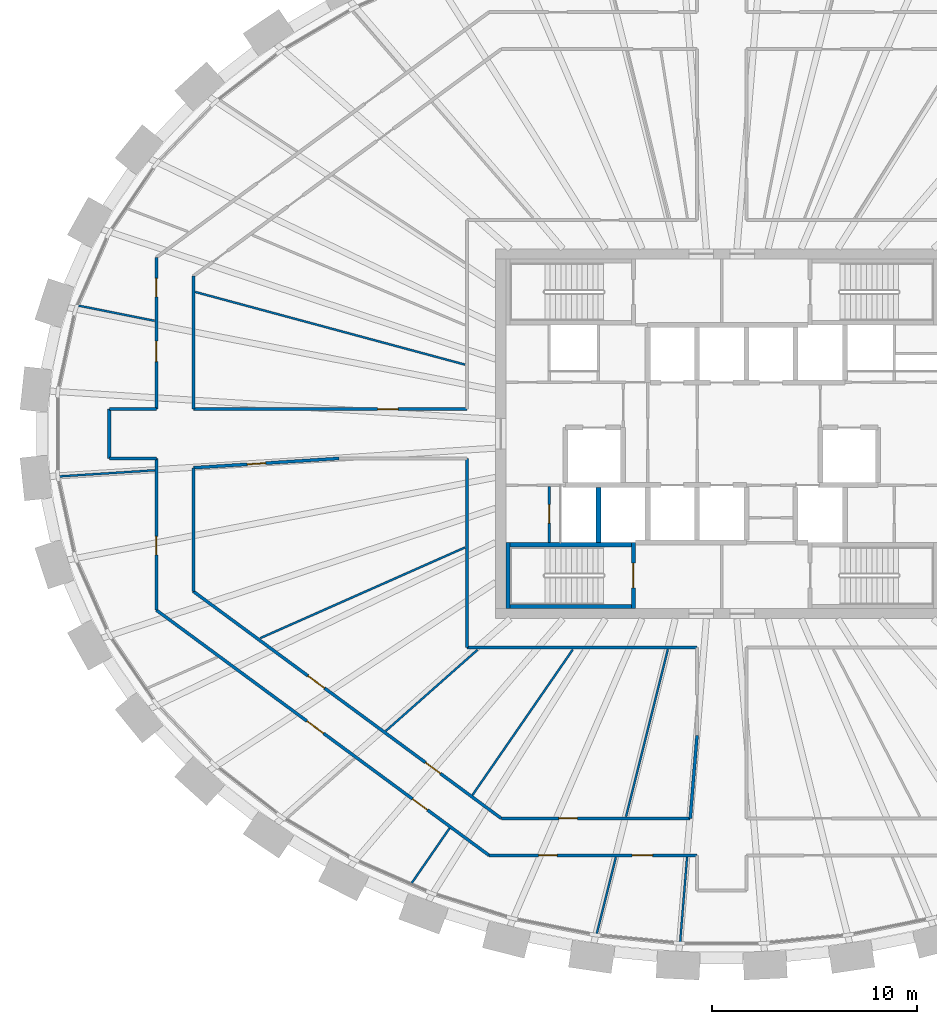
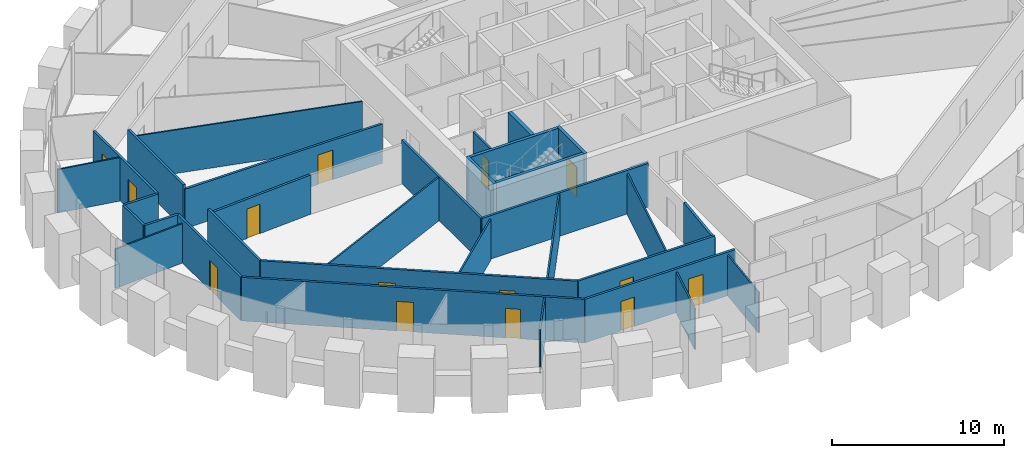
# One storey, part 6 of 12: 32 walls, 14 doors, 14 openings.
"""IFC4 building model written with IfcOpenShell, lengths in metres."""

from ifc_helpers import new_model, si_unit, direction, frame, frame_2d, origin, place, context, subcontext, project, spatial, rectangle, extrude, source, transform, mapped, material, layer, layer_set, type_object, element, fill, save


model = new_model("IFC4")

# Units and contexts
model_context = context("Model", 3, precision=1e-05, world=origin(), true_north=direction((0.0, 1.0)))
body_context = subcontext(model_context, "Body", "Model", "MODEL_VIEW")
ifc_project = project(units=[si_unit("LENGTHUNIT", "METRE"), si_unit("AREAUNIT", "SQUARE_METRE"), si_unit("VOLUMEUNIT", "CUBIC_METRE"), si_unit("PLANEANGLEUNIT", "RADIAN"), si_unit("MASSUNIT", "GRAM", prefix="KILO")], contexts=[model_context])

# Site, building, storey
site_placement = place(None, origin())
site = spatial("IfcSite", under=ifc_project, at=site_placement, CompositionType="ELEMENT")
building_placement = place(site_placement, origin())
building = spatial("IfcBuilding", under=site, at=building_placement, Name="Embergate Tower", CompositionType="ELEMENT")
storey_placement = place(building_placement, frame((0.0, 0.0, 246.10009765625)))
storey = spatial("IfcBuildingStorey", under=building, at=storey_placement, Name="L56", CompositionType="ELEMENT", Elevation=246.10009765625)

# Walls
ifc_material_1 = material(Name="Concrete C50", Category="concrete")
ifc_layer_1 = layer(ifc_material_1, 0.25)
ifc_layer_set_1 = layer_set([ifc_layer_1], Name="Concrete C50")
wall_type_1 = type_object("IfcWallType", Name="Hoistway wall reinforced concrete 250", PredefinedType="SHEAR", material=ifc_layer_set_1)
shared_shape_1 = source(origin(), body_context, "Body", "SweptSolid", [
    extrude(rectangle(XDim=2.675048828125, YDim=0.25, at=frame_2d((1.33740234375, 0.0))), origin(), (0.0, 0.0, 1.0), 3.699951171875),
])
wall_1_placement = place(storey_placement, frame((-6.0, -5.300048828125, 0.0), z_axis=(0.0, 0.0, 1.0), x_axis=(0.0, 1.0, 0.0)))
element("IfcWall", 1, at=wall_1_placement, inside=storey, type_object=wall_type_1, Name="HW-1 wall", PredefinedType="SHEAR", context=body_context, shape_type="MappedRepresentation", body=[
    mapped(shared_shape_1, transform((0.0, 0.0, 0.0))),
])
ifc_layer_2 = layer(ifc_material_1, 0.199951171875)
ifc_layer_set_2 = layer_set([ifc_layer_2], Name="Concrete C50")
wall_type_2 = type_object("IfcWallType", Name="Stair enclosure wall reinforced concrete 250", PredefinedType="SHEAR", material=ifc_layer_set_2)
shared_shape_2 = source(origin(), body_context, "Body", "SweptSolid", [
    extrude(rectangle(XDim=6.300048828125, YDim=0.199951171875, at=frame_2d((3.14990234375, 0.0))), origin(), (0.0, 0.0, 1.0), 3.699951171875),
])
wall_2_placement = place(storey_placement, frame((-10.5, -5.39990234375, 0.0), z_axis=(0.0, 0.0, 1.0), x_axis=(1.0, 0.0, 0.0)))
element("IfcWall", 2, at=wall_2_placement, inside=storey, type_object=wall_type_2, Name="SE-1 wall", PredefinedType="SHEAR", context=body_context, shape_type="MappedRepresentation", body=[
    mapped(shared_shape_2, transform((0.0, 0.0, 0.0))),
])

# Wall, opening, door
shared_shape_3 = source(origin(), body_context, "Body", "SweptSolid", [
    extrude(rectangle(XDim=3.199951171875, YDim=0.199951171875, at=frame_2d((1.60009765625, 0.0))), origin(), (0.0, 0.0, 1.0), 3.699951171875),
])
wall_3_placement = place(storey_placement, frame((-4.300048828125, -8.5, 0.0), z_axis=(0.0, 0.0, 1.0), x_axis=(0.0, 1.0, 0.0)))
wall_3 = element("IfcWall", 3, at=wall_3_placement, inside=storey, type_object=wall_type_2, Name="SE-1 wall", PredefinedType="SHEAR", context=body_context, shape_type="MappedRepresentation", body=[
    mapped(shared_shape_3, transform((0.0, 0.0, 0.0))),
])
shared_shape_4 = source(origin(), body_context, "Body", "SweptSolid", [
    extrude(rectangle(XDim=1.199951171875, YDim=2.10009765625, at=frame_2d((0.60009765625, 1.050048828125))), frame((0.0, 0.10986328125, 0.0), z_axis=(0.0, -1.0, 0.0), x_axis=(1.0, 0.0, 0.0)), (0.0, 0.0, 1.0), 0.219970703125),
])
opening_1_placement = place(wall_3_placement, frame((1.0, 0.0, 0.0)))
opening_1 = element("IfcOpeningElement", 4, at=opening_1_placement, cuts=wall_3, Name="Opening IF-2", PredefinedType="OPENING", context=body_context, shape_type="MappedRepresentation", body=[
    mapped(shared_shape_4, transform((0.0, 0.0, 0.0))),
])
ifc_material_2 = material(Name="Stair enclosure door 1200")
door_type_1 = type_object("IfcDoorType", Name="Stair enclosure door 1200", OperationType="SINGLE_SWING_LEFT", PredefinedType="DOOR", material=ifc_material_2)
shared_shape_5 = source(origin(), body_context, "Body", "SweptSolid", [
    extrude(rectangle(XDim=1.199951171875, YDim=2.10009765625, at=frame_2d((0.60009765625, 1.050048828125))), frame((0.0, 0.02490234375, 0.0), z_axis=(0.0, -1.0, 0.0), x_axis=(1.0, 0.0, 0.0)), (0.0, 0.0, 1.0), 0.050048828125),
])
door_1_placement = place(opening_1_placement, origin())
door_1 = element("IfcDoor", 5, at=door_1_placement, inside=storey, type_object=door_type_1, Name="IF-2 door", OperationType="SINGLE_SWING_LEFT", OverallHeight=2.10009765625, OverallWidth=1.199951171875, PredefinedType="DOOR", context=body_context, shape_type="MappedRepresentation", body=[
    mapped(shared_shape_5, transform((0.0, 0.0, 0.0))),
])
fill(opening_1, door_1)

ifc_material_3 = material(Name="Core partition blockwork 120")
ifc_layer_3 = layer(ifc_material_3, 0.1201171875)
ifc_layer_set_3 = layer_set([ifc_layer_3], Name="Core partition blockwork 120")
wall_type_3 = type_object("IfcWallType", Name="Core partition blockwork 120", PredefinedType="PARTITIONING", material=ifc_layer_set_3)
shared_shape_6 = source(origin(), body_context, "Body", "SweptSolid", [
    extrude(rectangle(XDim=2.739990234375, YDim=0.1201171875, at=frame_2d((1.3701171875, 0.0))), origin(), (0.0, 0.0, 1.0), 3.099853515625),
])
wall_4_placement = place(storey_placement, frame((-8.39990234375, -2.56005859375, 0.0), z_axis=(0.0, 0.0, 1.0), x_axis=(0.0, -1.0, 0.0)))
wall_4 = element("IfcWall", 6, at=wall_4_placement, inside=storey, type_object=wall_type_3, Name="IP-3 wall", PredefinedType="PARTITIONING", context=body_context, shape_type="MappedRepresentation", body=[
    mapped(shared_shape_6, transform((0.0, 0.0, 0.0))),
])
shared_shape_7 = source(origin(), body_context, "Body", "SweptSolid", [
    extrude(rectangle(XDim=0.89990234375, YDim=2.10009765625, at=frame_2d((0.449951171875, 1.050048828125))), frame((0.0, 0.070068359375, 0.0), z_axis=(0.0, -1.0, 0.0), x_axis=(1.0, 0.0, 0.0)), (0.0, 0.0, 1.0), 0.14013671875),
])
opening_2_placement = place(wall_4_placement, frame((0.889892578125, 0.0, 0.0)))
opening_2 = element("IfcOpeningElement", 7, at=opening_2_placement, cuts=wall_4, Name="Opening ID-1", PredefinedType="OPENING", context=body_context, shape_type="MappedRepresentation", body=[
    mapped(shared_shape_7, transform((0.0, 0.0, 0.0))),
])
ifc_material_4 = material(Name="Interior door 900")
door_type_2 = type_object("IfcDoorType", Name="Interior door 900", OperationType="SINGLE_SWING_LEFT", PredefinedType="DOOR", material=ifc_material_4)
shared_shape_8 = source(origin(), body_context, "Body", "SweptSolid", [
    extrude(rectangle(XDim=0.89990234375, YDim=2.10009765625, at=frame_2d((0.449951171875, 1.050048828125))), frame((0.0, 0.02490234375, 0.0), z_axis=(0.0, -1.0, 0.0), x_axis=(1.0, 0.0, 0.0)), (0.0, 0.0, 1.0), 0.050048828125),
])
door_2_placement = place(opening_2_placement, origin())
door_2 = element("IfcDoor", 8, at=door_2_placement, inside=storey, type_object=door_type_2, Name="ID-1 door", OperationType="SINGLE_SWING_RIGHT", OverallHeight=2.10009765625, OverallWidth=0.89990234375, PredefinedType="DOOR", context=body_context, shape_type="MappedRepresentation", body=[
    mapped(shared_shape_8, transform((0.0, 0.0, 0.0))),
])
fill(opening_2, door_2)

# Wall
ifc_material_5 = material(Name="Corridor wall dry-lined 150")
ifc_layer_4 = layer(ifc_material_5, 0.14990234375)
ifc_layer_set_4 = layer_set([ifc_layer_4], Name="Corridor wall dry-lined 150")
wall_type_4 = type_object("IfcWallType", Name="Corridor wall dry-lined 150", PredefinedType="PARTITIONING", material=ifc_layer_set_4)
shared_shape_9 = source(origin(), body_context, "Body", "SweptSolid", [
    extrude(rectangle(XDim=2.39990234375, YDim=0.14990234375, at=frame_2d((1.199951171875, 0.0))), origin(), (0.0, 0.0, 1.0), 3.099853515625),
])
wall_5_placement = place(storey_placement, frame((-29.803955078125, -1.199951171875, 0.0), z_axis=(0.0, 0.0, 1.0), x_axis=(0.0, 1.0, 0.0)))
element("IfcWall", 9, at=wall_5_placement, inside=storey, type_object=wall_type_4, Name="IP-2 wall", PredefinedType="PARTITIONING", context=body_context, shape_type="MappedRepresentation", body=[
    mapped(shared_shape_9, transform((0.0, 0.0, 0.0))),
])

# Wall, opening, door
shared_shape_10 = source(origin(), body_context, "Body", "SweptSolid", [
    extrude(rectangle(XDim=7.381103515625, YDim=0.14990234375, at=frame_2d((3.6904296875, 0.0))), origin(), (0.0, 0.0, 1.0), 3.099853515625),
])
wall_6_placement = place(storey_placement, frame((-27.510986328125, -1.199951171875, 0.0), z_axis=(0.0, 0.0, 1.0), x_axis=(0.0, -1.0, 0.0)))
wall_6 = element("IfcWall", 10, at=wall_6_placement, inside=storey, type_object=wall_type_4, Name="IP-2 wall", PredefinedType="PARTITIONING", context=body_context, shape_type="MappedRepresentation", body=[
    mapped(shared_shape_10, transform((0.0, 0.0, 0.0))),
])
shared_shape_11 = source(origin(), body_context, "Body", "SweptSolid", [
    extrude(rectangle(XDim=0.89990234375, YDim=2.10009765625, at=frame_2d((0.449951171875, 1.050048828125))), frame((0.0, 0.0849609375, 0.0), z_axis=(0.0, -1.0, 0.0), x_axis=(1.0, 0.0, 0.0)), (0.0, 0.0, 1.0), 0.169921875),
])
opening_3_placement = place(wall_6_placement, frame((3.7900390625, 0.0, 0.0)))
opening_3 = element("IfcOpeningElement", 11, at=opening_3_placement, cuts=wall_6, Name="Opening IF-1c", PredefinedType="OPENING", context=body_context, shape_type="MappedRepresentation", body=[
    mapped(shared_shape_11, transform((0.0, 0.0, 0.0))),
])
ifc_material_6 = material(Name="Escape fire door 900")
door_type_3 = type_object("IfcDoorType", Name="Escape fire door 900", OperationType="SINGLE_SWING_LEFT", PredefinedType="DOOR", material=ifc_material_6)
door_3_placement = place(opening_3_placement, origin())
door_3 = element("IfcDoor", 12, at=door_3_placement, inside=storey, type_object=door_type_3, Name="IF-1 door", OperationType="SINGLE_SWING_RIGHT", OverallHeight=2.10009765625, OverallWidth=0.89990234375, PredefinedType="DOOR", context=body_context, shape_type="MappedRepresentation", body=[
    mapped(shared_shape_8, transform((0.0, 0.0, 0.0))),
])
fill(opening_3, door_3)

# Wall, openings, doors
wall_7_placement = place(storey_placement, frame((-27.510986328125, 1.199951171875, 0.0), z_axis=(0.0, 0.0, 1.0), x_axis=(0.0, 1.0, 0.0)))
wall_7 = element("IfcWall", 13, at=wall_7_placement, inside=storey, type_object=wall_type_4, Name="IP-2 wall", PredefinedType="PARTITIONING", context=body_context, shape_type="MappedRepresentation", body=[
    mapped(shared_shape_10, transform((0.0, 0.0, 0.0))),
])
opening_4_placement = place(wall_7_placement, frame((5.4599609375, 0.0, 0.0)))
opening_4 = element("IfcOpeningElement", 14, at=opening_4_placement, cuts=wall_7, Name="Opening IF-1c", PredefinedType="OPENING", context=body_context, shape_type="MappedRepresentation", body=[
    mapped(shared_shape_11, transform((0.0, 0.0, 0.0))),
])
shared_shape_12 = source(origin(), body_context, "Body", "SweptSolid", [
    extrude(rectangle(XDim=1.0, YDim=2.10009765625, at=frame_2d((0.5, 1.050048828125))), frame((0.0, 0.0849609375, 0.0), z_axis=(0.0, -1.0, 0.0), x_axis=(1.0, 0.0, 0.0)), (0.0, 0.0, 1.0), 0.169921875),
])
opening_5_placement = place(wall_7_placement, frame((2.31005859375, 0.0, 0.0)))
opening_5 = element("IfcOpeningElement", 15, at=opening_5_placement, cuts=wall_7, Name="Opening ID-2", PredefinedType="OPENING", context=body_context, shape_type="MappedRepresentation", body=[
    mapped(shared_shape_12, transform((0.0, 0.0, 0.0))),
])
door_4_placement = place(opening_4_placement, origin())
door_4 = element("IfcDoor", 16, at=door_4_placement, inside=storey, type_object=door_type_3, Name="IF-1 door", OperationType="SINGLE_SWING_LEFT", OverallHeight=2.10009765625, OverallWidth=0.89990234375, PredefinedType="DOOR", context=body_context, shape_type="MappedRepresentation", body=[
    mapped(shared_shape_8, transform((0.0, 0.0, 0.0))),
])
fill(opening_4, door_4)
ifc_material_7 = material(Name="Interior door 1000")
door_type_4 = type_object("IfcDoorType", Name="Interior door 1000", OperationType="SINGLE_SWING_LEFT", PredefinedType="DOOR", material=ifc_material_7)
shared_shape_13 = source(origin(), body_context, "Body", "SweptSolid", [
    extrude(rectangle(XDim=1.0, YDim=2.10009765625, at=frame_2d((0.5, 1.050048828125))), frame((0.0, 0.02490234375, 0.0), z_axis=(0.0, -1.0, 0.0), x_axis=(1.0, 0.0, 0.0)), (0.0, 0.0, 1.0), 0.050048828125),
])
door_5_placement = place(opening_5_placement, origin())
door_5 = element("IfcDoor", 17, at=door_5_placement, inside=storey, type_object=door_type_4, Name="ID-2 door", OperationType="SINGLE_SWING_RIGHT", OverallHeight=2.10009765625, OverallWidth=1.0, PredefinedType="DOOR", context=body_context, shape_type="MappedRepresentation", body=[
    mapped(shared_shape_13, transform((0.0, 0.0, 0.0))),
])
fill(opening_5, door_5)

shared_shape_14 = source(origin(), body_context, "Body", "SweptSolid", [
    extrude(rectangle(XDim=20.116455078125, YDim=0.14990234375, at=frame_2d((10.05810546875, 0.0))), origin(), (0.0, 0.0, 1.0), 3.099853515625),
])
wall_8_placement = place(storey_placement, frame((-27.510986328125, -8.5810546875, 0.0), z_axis=(0.0, 0.0, 1.0), x_axis=(0.804910001979, -0.593396906559, 0.0)))
wall_8 = element("IfcWall", 18, at=wall_8_placement, inside=storey, type_object=wall_type_4, Name="IP-2 wall", PredefinedType="PARTITIONING", context=body_context, shape_type="MappedRepresentation", body=[
    mapped(shared_shape_14, transform((0.0, 0.0, 0.0))),
])
opening_6_placement = place(wall_8_placement, frame((9.1064453125, 0.0, 0.0)))
opening_6 = element("IfcOpeningElement", 19, at=opening_6_placement, cuts=wall_8, Name="Opening ID-2", PredefinedType="OPENING", context=body_context, shape_type="MappedRepresentation", body=[
    mapped(shared_shape_12, transform((0.0, 0.0, 0.0))),
])
opening_7_placement = place(wall_8_placement, frame((15.489990234375, 0.0, 0.0)))
opening_7 = element("IfcOpeningElement", 20, at=opening_7_placement, cuts=wall_8, Name="Opening IF-1c", PredefinedType="OPENING", context=body_context, shape_type="MappedRepresentation", body=[
    mapped(shared_shape_11, transform((0.0, 0.0, 0.0))),
])
door_6_placement = place(opening_7_placement, origin())
door_6 = element("IfcDoor", 21, at=door_6_placement, inside=storey, type_object=door_type_3, Name="IF-1 door", OperationType="SINGLE_SWING_LEFT", OverallHeight=2.10009765625, OverallWidth=0.89990234375, PredefinedType="DOOR", context=body_context, shape_type="MappedRepresentation", body=[
    mapped(shared_shape_8, transform((0.0, 0.0, 0.0))),
])
fill(opening_7, door_6)
door_7_placement = place(opening_6_placement, origin())
door_7 = element("IfcDoor", 22, at=door_7_placement, inside=storey, type_object=door_type_4, Name="ID-2 door", OperationType="SINGLE_SWING_LEFT", OverallHeight=2.10009765625, OverallWidth=1.0, PredefinedType="DOOR", context=body_context, shape_type="MappedRepresentation", body=[
    mapped(shared_shape_13, transform((0.0, 0.0, 0.0))),
])
fill(opening_6, door_7)

shared_shape_15 = source(origin(), body_context, "Body", "SweptSolid", [
    extrude(rectangle(XDim=18.615966796875, YDim=0.14990234375, at=frame_2d((9.30810546875, 0.0))), origin(), (0.0, 0.0, 1.0), 3.099853515625),
])
wall_9_placement = place(storey_placement, frame((-10.72705078125, -18.718017578125, 0.0), z_axis=(0.0, 0.0, 1.0), x_axis=(-0.804892640185, 0.593420456149, 0.0)))
wall_9 = element("IfcWall", 23, at=wall_9_placement, inside=storey, type_object=wall_type_4, Name="IP-2 wall", PredefinedType="PARTITIONING", context=body_context, shape_type="MappedRepresentation", body=[
    mapped(shared_shape_15, transform((0.0, 0.0, 0.0))),
])
opening_8_placement = place(wall_9_placement, frame((10.686279296875, 0.0, 0.0)))
opening_8 = element("IfcOpeningElement", 24, at=opening_8_placement, cuts=wall_9, Name="Opening ID-2", PredefinedType="OPENING", context=body_context, shape_type="MappedRepresentation", body=[
    mapped(shared_shape_12, transform((0.0, 0.0, 0.0))),
])
opening_9_placement = place(wall_9_placement, frame((3.68115234375, 0.0, 0.0)))
opening_9 = element("IfcOpeningElement", 25, at=opening_9_placement, cuts=wall_9, Name="Opening IF-1c", PredefinedType="OPENING", context=body_context, shape_type="MappedRepresentation", body=[
    mapped(shared_shape_11, transform((0.0, 0.0, 0.0))),
])
door_8_placement = place(opening_9_placement, origin())
door_8 = element("IfcDoor", 26, at=door_8_placement, inside=storey, type_object=door_type_3, Name="IF-1 door", OperationType="SINGLE_SWING_RIGHT", OverallHeight=2.10009765625, OverallWidth=0.89990234375, PredefinedType="DOOR", context=body_context, shape_type="MappedRepresentation", body=[
    mapped(shared_shape_8, transform((0.0, 0.0, 0.0))),
])
fill(opening_9, door_8)
door_9_placement = place(opening_8_placement, origin())
door_9 = element("IfcDoor", 27, at=door_9_placement, inside=storey, type_object=door_type_4, Name="ID-2 door", OperationType="SINGLE_SWING_LEFT", OverallHeight=2.10009765625, OverallWidth=1.0, PredefinedType="DOOR", context=body_context, shape_type="MappedRepresentation", body=[
    mapped(shared_shape_13, transform((0.0, 0.0, 0.0))),
])
fill(opening_8, door_9)

# Wall
shared_shape_16 = source(origin(), body_context, "Body", "SweptSolid", [
    extrude(rectangle(XDim=6.014892578125, YDim=0.14990234375, at=frame_2d((3.00732421875, 0.0))), origin(), (0.0, 0.0, 1.0), 3.099853515625),
])
wall_10_placement = place(storey_placement, frame((-25.7109375, -7.6708984375, 0.0), z_axis=(0.0, 0.0, 1.0), x_axis=(0.0, 1.0, 0.0)))
element("IfcWall", 28, at=wall_10_placement, inside=storey, type_object=wall_type_4, Name="IP-2 wall", PredefinedType="PARTITIONING", context=body_context, shape_type="MappedRepresentation", body=[
    mapped(shared_shape_16, transform((0.0, 0.0, 0.0))),
])

# Wall, opening, door
shared_shape_17 = source(origin(), body_context, "Body", "SweptSolid", [
    extrude(rectangle(XDim=7.095703125, YDim=0.14990234375, at=frame_2d((3.5478515625, 0.0))), origin(), (0.0, 0.0, 1.0), 2.7998046875),
])
wall_11_placement = place(storey_placement, frame((-25.7109375, -1.656005859375, 0.0), z_axis=(0.0, 0.0, 1.0), x_axis=(0.997932433773, 0.064271748252, 0.0)))
wall_11 = element("IfcWall", 29, at=wall_11_placement, inside=storey, type_object=wall_type_4, Name="IP-2 wall", PredefinedType="PARTITIONING", context=body_context, shape_type="MappedRepresentation", body=[
    mapped(shared_shape_17, transform((0.0, 0.0, 0.0))),
])
opening_10_placement = place(wall_11_placement, frame((2.625732421875, 0.0, 0.0)))
opening_10 = element("IfcOpeningElement", 30, at=opening_10_placement, cuts=wall_11, Name="Opening IF-1c", PredefinedType="OPENING", context=body_context, shape_type="MappedRepresentation", body=[
    mapped(shared_shape_11, transform((0.0, 0.0, 0.0))),
])
door_10_placement = place(opening_10_placement, origin())
door_10 = element("IfcDoor", 31, at=door_10_placement, inside=storey, type_object=door_type_3, Name="IF-1 door", OperationType="SINGLE_SWING_LEFT", OverallHeight=2.10009765625, OverallWidth=0.89990234375, PredefinedType="DOOR", context=body_context, shape_type="MappedRepresentation", body=[
    mapped(shared_shape_8, transform((0.0, 0.0, 0.0))),
])
fill(opening_10, door_10)

# Walls
shared_shape_18 = source(origin(), body_context, "Body", "SweptSolid", [
    extrude(rectangle(XDim=9.199951171875, YDim=0.14990234375, at=frame_2d((4.60009765625, 0.0))), origin(), (0.0, 0.0, 1.0), 3.099853515625),
])
wall_12_placement = place(storey_placement, frame((-12.39990234375, -1.199951171875, 0.0), z_axis=(0.0, 0.0, 1.0), x_axis=(0.0, -1.0, 0.0)))
element("IfcWall", 32, at=wall_12_placement, inside=storey, type_object=wall_type_4, Name="IP-2 wall", PredefinedType="PARTITIONING", context=body_context, shape_type="MappedRepresentation", body=[
    mapped(shared_shape_18, transform((0.0, 0.0, 0.0))),
])
shared_shape_19 = source(origin(), body_context, "Body", "SweptSolid", [
    extrude(rectangle(XDim=11.199951171875, YDim=0.14990234375, at=frame_2d((5.60009765625, 0.0))), origin(), (0.0, 0.0, 1.0), 3.099853515625),
])
wall_13_placement = place(storey_placement, frame((-12.39990234375, -10.39990234375, 0.0), z_axis=(0.0, 0.0, 1.0), x_axis=(1.0, 0.0, 0.0)))
element("IfcWall", 33, at=wall_13_placement, inside=storey, type_object=wall_type_4, Name="IP-2 wall", PredefinedType="PARTITIONING", context=body_context, shape_type="MappedRepresentation", body=[
    mapped(shared_shape_19, transform((0.0, 0.0, 0.0))),
])

# Wall, openings, doors
shared_shape_20 = source(origin(), body_context, "Body", "SweptSolid", [
    extrude(rectangle(XDim=10.119140625, YDim=0.14990234375, at=frame_2d((5.0595703125, 0.0))), origin(), (0.0, 0.0, 1.0), 3.099853515625),
])
wall_14_placement = place(storey_placement, frame((-1.199951171875, -20.51806640625, 0.0), z_axis=(0.0, 0.0, 1.0), x_axis=(-1.0, 0.0, 0.0)))
wall_14 = element("IfcWall", 34, at=wall_14_placement, inside=storey, type_object=wall_type_4, Name="IP-2 wall", PredefinedType="PARTITIONING", context=body_context, shape_type="MappedRepresentation", body=[
    mapped(shared_shape_20, transform((0.0, 0.0, 0.0))),
])
opening_11_placement = place(wall_14_placement, frame((6.805908203125, 0.0, 0.0)))
opening_11 = element("IfcOpeningElement", 35, at=opening_11_placement, cuts=wall_14, Name="Opening IF-1c", PredefinedType="OPENING", context=body_context, shape_type="MappedRepresentation", body=[
    mapped(shared_shape_11, transform((0.0, 0.0, 0.0))),
])
opening_12_placement = place(wall_14_placement, frame((2.1630859375, 0.0, 0.0)))
opening_12 = element("IfcOpeningElement", 36, at=opening_12_placement, cuts=wall_14, Name="Opening ID-2", PredefinedType="OPENING", context=body_context, shape_type="MappedRepresentation", body=[
    mapped(shared_shape_12, transform((0.0, 0.0, 0.0))),
])
door_11_placement = place(opening_11_placement, origin())
door_11 = element("IfcDoor", 37, at=door_11_placement, inside=storey, type_object=door_type_3, Name="IF-1 door", OperationType="SINGLE_SWING_RIGHT", OverallHeight=2.10009765625, OverallWidth=0.89990234375, PredefinedType="DOOR", context=body_context, shape_type="MappedRepresentation", body=[
    mapped(shared_shape_8, transform((0.0, 0.0, 0.0))),
])
fill(opening_11, door_11)
door_12_placement = place(opening_12_placement, origin())
door_12 = element("IfcDoor", 38, at=door_12_placement, inside=storey, type_object=door_type_4, Name="ID-2 door", OperationType="SINGLE_SWING_RIGHT", OverallHeight=2.10009765625, OverallWidth=1.0, PredefinedType="DOOR", context=body_context, shape_type="MappedRepresentation", body=[
    mapped(shared_shape_13, transform((0.0, 0.0, 0.0))),
])
fill(opening_12, door_12)

# Wall, opening, door
shared_shape_21 = source(origin(), body_context, "Body", "SweptSolid", [
    extrude(rectangle(XDim=9.197021484375, YDim=0.14990234375, at=frame_2d((4.5986328125, 0.0))), origin(), (0.0, 0.0, 1.0), 3.099853515625),
])
wall_15_placement = place(storey_placement, frame((-10.72705078125, -18.718017578125, 0.0), z_axis=(0.0, 0.0, 1.0), x_axis=(1.0, 0.0, 0.0)))
wall_15 = element("IfcWall", 39, at=wall_15_placement, inside=storey, type_object=wall_type_4, Name="IP-2 wall", PredefinedType="PARTITIONING", context=body_context, shape_type="MappedRepresentation", body=[
    mapped(shared_shape_21, transform((0.0, 0.0, 0.0))),
])
opening_13_placement = place(wall_15_placement, frame((2.802978515625, 0.0, 0.0)))
opening_13 = element("IfcOpeningElement", 40, at=opening_13_placement, cuts=wall_15, Name="Opening IF-1c", PredefinedType="OPENING", context=body_context, shape_type="MappedRepresentation", body=[
    mapped(shared_shape_11, transform((0.0, 0.0, 0.0))),
])
door_13_placement = place(opening_13_placement, origin())
door_13 = element("IfcDoor", 41, at=door_13_placement, inside=storey, type_object=door_type_3, Name="IF-1 door", OperationType="SINGLE_SWING_RIGHT", OverallHeight=2.10009765625, OverallWidth=0.89990234375, PredefinedType="DOOR", context=body_context, shape_type="MappedRepresentation", body=[
    mapped(shared_shape_8, transform((0.0, 0.0, 0.0))),
])
fill(opening_13, door_13)

# Walls
shared_shape_22 = source(origin(), body_context, "Body", "SweptSolid", [
    extrude(rectangle(XDim=4.04638671875, YDim=0.14990234375, at=frame_2d((2.023193359375, 0.0))), origin(), (0.0, 0.0, 1.0), 2.89990234375),
])
wall_16_placement = place(storey_placement, frame((-1.199951171875, -14.68505859375, 0.0), z_axis=(0.0, 0.0, 1.0), x_axis=(-0.081572392455, -0.996667419348, 0.0)))
element("IfcWall", 42, at=wall_16_placement, inside=storey, type_object=wall_type_4, Name="IP-2 wall", PredefinedType="PARTITIONING", context=body_context, shape_type="MappedRepresentation", body=[
    mapped(shared_shape_22, transform((0.0, 0.0, 0.0))),
])
shared_shape_23 = source(origin(), body_context, "Body", "SweptSolid", [
    extrude(rectangle(XDim=2.29296875, YDim=0.14990234375, at=frame_2d((1.146484375, 0.0))), origin(), (0.0, 0.0, 1.0), 3.099853515625),
])
for number, where, z_axis, x_axis, name in (
    (43, (-27.510986328125, -1.199951171875, 0.0), (0.0, 0.0, 1.0), (-1.0, 0.0, 0.0), "IP-2 wall"),
    (44, (-29.803955078125, 1.199951171875, 0.0), (0.0, 0.0, 1.0), (1.0, 0.0, 0.0), "IP-2 wall"),
):
    element("IfcWall", number, at=place(storey_placement, frame(where, z_axis=z_axis, x_axis=x_axis)), inside=storey, type_object=wall_type_4, Name=name, PredefinedType="PARTITIONING", context=body_context, shape_type="MappedRepresentation", body=[
        mapped(shared_shape_23, transform((0.0, 0.0, 0.0))),
    ])
shared_shape_24 = source(origin(), body_context, "Body", "SweptSolid", [
    extrude(rectangle(XDim=6.470947265625, YDim=0.14990234375, at=frame_2d((3.2353515625, 0.0))), origin(), (0.0, 0.0, 1.0), 3.099853515625),
])
wall_17_placement = place(storey_placement, frame((-25.7109375, 7.6708984375, 0.0), z_axis=(0.0, 0.0, 1.0), x_axis=(0.0, -1.0, 0.0)))
element("IfcWall", 45, at=wall_17_placement, inside=storey, type_object=wall_type_4, Name="IP-2 wall", PredefinedType="PARTITIONING", context=body_context, shape_type="MappedRepresentation", body=[
    mapped(shared_shape_24, transform((0.0, 0.0, 0.0))),
])

# Wall, opening, door
shared_shape_25 = source(origin(), body_context, "Body", "SweptSolid", [
    extrude(rectangle(XDim=13.31103515625, YDim=0.14990234375, at=frame_2d((6.655517578125, 0.0))), origin(), (0.0, 0.0, 1.0), 2.7998046875),
])
wall_18_placement = place(storey_placement, frame((-25.7109375, 1.199951171875, 0.0), z_axis=(0.0, 0.0, 1.0), x_axis=(1.0, 0.0, 0.0)))
wall_18 = element("IfcWall", 46, at=wall_18_placement, inside=storey, type_object=wall_type_4, Name="IP-2 wall", PredefinedType="PARTITIONING", context=body_context, shape_type="MappedRepresentation", body=[
    mapped(shared_shape_25, transform((0.0, 0.0, 0.0))),
])
opening_14_placement = place(wall_18_placement, frame((8.96630859375, 0.0, 0.0)))
opening_14 = element("IfcOpeningElement", 47, at=opening_14_placement, cuts=wall_18, Name="Opening ID-2", PredefinedType="OPENING", context=body_context, shape_type="MappedRepresentation", body=[
    mapped(shared_shape_12, transform((0.0, 0.0, 0.0))),
])
door_14_placement = place(opening_14_placement, origin())
door_14 = element("IfcDoor", 48, at=door_14_placement, inside=storey, type_object=door_type_4, Name="ID-2 door", OperationType="SINGLE_SWING_RIGHT", OverallHeight=2.10009765625, OverallWidth=1.0, PredefinedType="DOOR", context=body_context, shape_type="MappedRepresentation", body=[
    mapped(shared_shape_13, transform((0.0, 0.0, 0.0))),
])
fill(opening_14, door_14)

# Walls
ifc_material_8 = material(Name="Partition dry-lined 100")
ifc_layer_5 = layer(ifc_material_8, 0.10009765625)
ifc_layer_set_5 = layer_set([ifc_layer_5], Name="Partition dry-lined 100")
wall_type_5 = type_object("IfcWallType", Name="Partition dry-lined 100", PredefinedType="PARTITIONING", material=ifc_layer_set_5)
shared_shape_26 = source(origin(), body_context, "Body", "SweptSolid", [
    extrude(rectangle(XDim=4.7119140625, YDim=0.10009765625, at=frame_2d((2.35595703125, 0.0))), origin(), (0.0, 0.0, 1.0), 2.7998046875),
])
wall_19_placement = place(storey_placement, frame((-27.5859375, -1.777099609375, 0.0), z_axis=(0.0, 0.0, 1.0), x_axis=(-0.997930567538, -0.064300718293, 0.0)))
element("IfcWall", 49, at=wall_19_placement, inside=storey, type_object=wall_type_5, Name="IP-1 wall", PredefinedType="PARTITIONING", context=body_context, shape_type="MappedRepresentation", body=[
    mapped(shared_shape_26, transform((0.0, 0.0, 0.0))),
])
shared_shape_27 = source(origin(), body_context, "Body", "SweptSolid", [
    extrude(rectangle(XDim=10.894287109375, YDim=0.10009765625, at=frame_2d((5.447265625, 0.0))), origin(), (0.0, 0.0, 1.0), 3.099853515625),
])
wall_20_placement = place(storey_placement, frame((-12.4951171875, -5.534912109375, 0.0), z_axis=(0.0, 0.0, 1.0), x_axis=(-0.914320940178, -0.404990392914, 0.0)))
element("IfcWall", 50, at=wall_20_placement, inside=storey, type_object=wall_type_5, Name="IP-1 wall", PredefinedType="PARTITIONING", context=body_context, shape_type="MappedRepresentation", body=[
    mapped(shared_shape_27, transform((0.0, 0.0, 0.0))),
])
shared_shape_28 = source(origin(), body_context, "Body", "SweptSolid", [
    extrude(rectangle(XDim=5.968017578125, YDim=0.10009765625, at=frame_2d((2.98388671875, 0.0))), origin(), (0.0, 0.0, 1.0), 2.89990234375),
])
wall_21_placement = place(storey_placement, frame((-11.8798828125, -10.511962890625, 0.0), z_axis=(0.0, 0.0, 1.0), x_axis=(-0.748870055166, -0.662716862979, 0.0)))
element("IfcWall", 51, at=wall_21_placement, inside=storey, type_object=wall_type_5, Name="IP-1 wall", PredefinedType="PARTITIONING", context=body_context, shape_type="MappedRepresentation", body=[
    mapped(shared_shape_28, transform((0.0, 0.0, 0.0))),
])
shared_shape_29 = source(origin(), body_context, "Body", "SweptSolid", [
    extrude(rectangle(XDim=3.34716796875, YDim=0.10009765625, at=frame_2d((1.673583984375, 0.0))), origin(), (0.0, 0.0, 1.0), 3.099853515625),
])
wall_22_placement = place(storey_placement, frame((-13.240966796875, -19.194091796875, 0.0), z_axis=(0.0, 0.0, 1.0), x_axis=(-0.567976668544, -0.823044654918, 0.0)))
element("IfcWall", 52, at=wall_22_placement, inside=storey, type_object=wall_type_5, Name="IP-1 wall", PredefinedType="PARTITIONING", context=body_context, shape_type="MappedRepresentation", body=[
    mapped(shared_shape_29, transform((0.0, 0.0, 0.0))),
])
shared_shape_30 = source(origin(), body_context, "Body", "SweptSolid", [
    extrude(rectangle(XDim=3.901123046875, YDim=0.10009765625, at=frame_2d((1.95068359375, 0.0))), origin(), (0.0, 0.0, 1.0), 2.89990234375),
])
wall_23_placement = place(storey_placement, frame((-5.14697265625, -20.60498046875, 0.0), z_axis=(0.0, 0.0, 1.0), x_axis=(-0.242255835543, -0.970212404655, 0.0)))
element("IfcWall", 53, at=wall_23_placement, inside=storey, type_object=wall_type_5, Name="IP-1 wall", PredefinedType="PARTITIONING", context=body_context, shape_type="MappedRepresentation", body=[
    mapped(shared_shape_30, transform((0.0, 0.0, 0.0))),
])
shared_shape_31 = source(origin(), body_context, "Body", "SweptSolid", [
    extrude(rectangle(XDim=4.206787109375, YDim=0.10009765625, at=frame_2d((2.103515625, 0.0))), origin(), (0.0, 0.0, 1.0), 2.89990234375),
])
wall_24_placement = place(storey_placement, frame((-1.68310546875, -20.592041015625, 0.0), z_axis=(0.0, 0.0, 1.0), x_axis=(-0.081249060301, -0.996693829719, 0.0)))
element("IfcWall", 54, at=wall_24_placement, inside=storey, type_object=wall_type_5, Name="IP-1 wall", PredefinedType="PARTITIONING", context=body_context, shape_type="MappedRepresentation", body=[
    mapped(shared_shape_31, transform((0.0, 0.0, 0.0))),
])
shared_shape_32 = source(origin(), body_context, "Body", "SweptSolid", [
    extrude(rectangle(XDim=8.60693359375, YDim=0.10009765625, at=frame_2d((4.303466796875, 0.0))), origin(), (0.0, 0.0, 1.0), 3.099853515625),
])
wall_25_placement = place(storey_placement, frame((-7.24609375, -10.5029296875, 0.0), z_axis=(0.0, 0.0, 1.0), x_axis=(-0.56779459972, -0.823170269464, 0.0)))
element("IfcWall", 55, at=wall_25_placement, inside=storey, type_object=wall_type_5, Name="IP-1 wall", PredefinedType="PARTITIONING", context=body_context, shape_type="MappedRepresentation", body=[
    mapped(shared_shape_32, transform((0.0, 0.0, 0.0))),
])
shared_shape_33 = source(origin(), body_context, "Body", "SweptSolid", [
    extrude(rectangle(XDim=8.39453125, YDim=0.10009765625, at=frame_2d((4.197265625, 0.0))), origin(), (0.0, 0.0, 1.0), 2.89990234375),
])
wall_26_placement = place(storey_placement, frame((-2.618896484375, -10.487060546875, 0.0), z_axis=(0.0, 0.0, 1.0), x_axis=(-0.242439819477, -0.970166446509, 0.0)))
element("IfcWall", 56, at=wall_26_placement, inside=storey, type_object=wall_type_5, Name="IP-1 wall", PredefinedType="PARTITIONING", context=body_context, shape_type="MappedRepresentation", body=[
    mapped(shared_shape_33, transform((0.0, 0.0, 0.0))),
])
shared_shape_34 = source(origin(), body_context, "Body", "SweptSolid", [
    extrude(rectangle(XDim=3.83203125, YDim=0.10009765625, at=frame_2d((1.916015625, 0.0))), origin(), (0.0, 0.0, 1.0), 3.099853515625),
])
wall_27_placement = place(storey_placement, frame((-27.595947265625, 5.49609375, 0.0), z_axis=(0.0, 0.0, 1.0), x_axis=(-0.980710334015, 0.195466725444, 0.0)))
element("IfcWall", 57, at=wall_27_placement, inside=storey, type_object=wall_type_5, Name="IP-1 wall", PredefinedType="PARTITIONING", context=body_context, shape_type="MappedRepresentation", body=[
    mapped(shared_shape_34, transform((0.0, 0.0, 0.0))),
])
shared_shape_35 = source(origin(), body_context, "Body", "SweptSolid", [
    extrude(rectangle(XDim=13.603271484375, YDim=0.10009765625, at=frame_2d((6.8017578125, 0.0))), origin(), (0.0, 0.0, 1.0), 3.099853515625),
])
wall_28_placement = place(storey_placement, frame((-12.488037109375, 3.364013671875, 0.0), z_axis=(0.0, 0.0, 1.0), x_axis=(-0.965583693555, 0.260092542648, 0.0)))
element("IfcWall", 58, at=wall_28_placement, inside=storey, type_object=wall_type_5, Name="IP-1 wall", PredefinedType="PARTITIONING", context=body_context, shape_type="MappedRepresentation", body=[
    mapped(shared_shape_35, transform((0.0, 0.0, 0.0))),
])
shared_shape_36 = source(origin(), body_context, "Body", "SweptSolid", [
    extrude(rectangle(XDim=6.298095703125, YDim=0.199951171875, at=frame_2d((3.14892578125, 0.0))), origin(), (0.0, 0.0, 1.0), 3.699951171875),
])
wall_29_placement = place(storey_placement, frame((-10.5, -8.39990234375, 0.0), z_axis=(0.0, 0.0, 1.0), x_axis=(1.0, 0.0, 0.0)))
element("IfcWall", 59, at=wall_29_placement, inside=storey, type_object=wall_type_2, Name="SE-1 wall", PredefinedType="SHEAR", context=body_context, shape_type="MappedRepresentation", body=[
    mapped(shared_shape_36, transform((0.0, 0.0, 0.0))),
])
shared_shape_37 = source(origin(), body_context, "Body", "SweptSolid", [
    extrude(rectangle(XDim=3.197998046875, YDim=0.199951171875, at=frame_2d((1.59912109375, 0.0))), origin(), (0.0, 0.0, 1.0), 3.699951171875),
])
wall_30_placement = place(storey_placement, frame((-10.39990234375, -5.302001953125, 0.0), z_axis=(0.0, 0.0, 1.0), x_axis=(0.0, -1.0, 0.0)))
element("IfcWall", 60, at=wall_30_placement, inside=storey, type_object=wall_type_2, Name="SE-1 wall", PredefinedType="SHEAR", context=body_context, shape_type="MappedRepresentation", body=[
    mapped(shared_shape_37, transform((0.0, 0.0, 0.0))),
])

save(model, "model.ifc")
